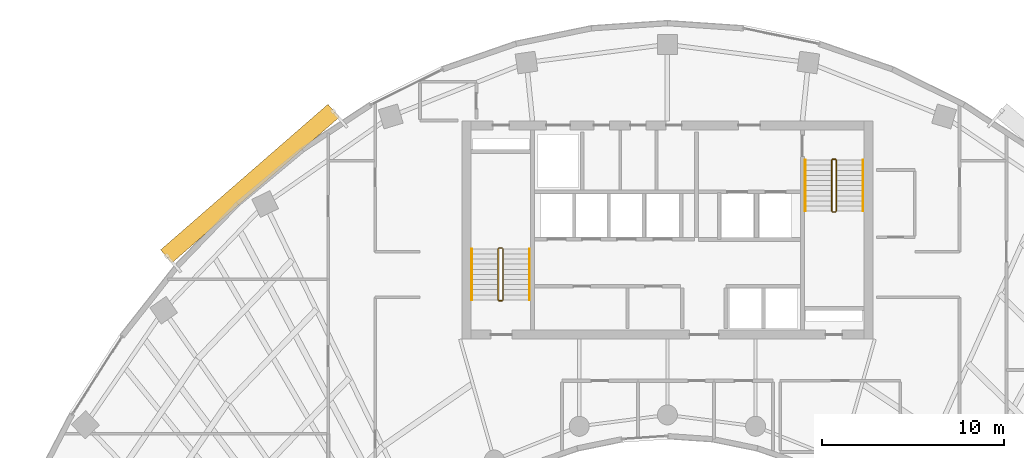
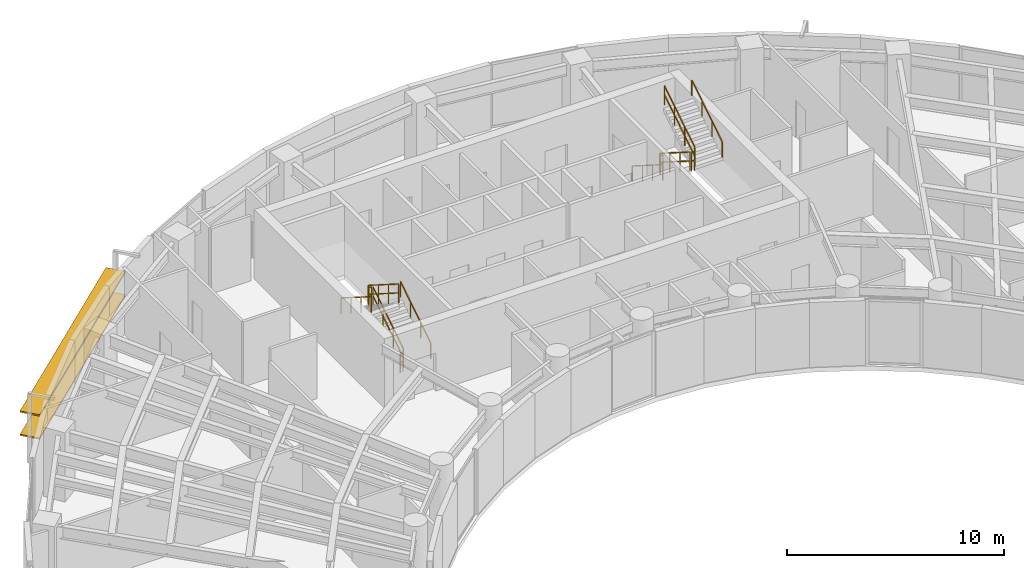
# One storey, part 12 of 13: 12 railings, 2 shading devices.
"""IFC4 building model written with IfcOpenShell, lengths in metres."""

from ifc_helpers import new_model, si_unit, direction, frame, origin, origin_2d, place, context, subcontext, project, spatial, rectangle, extrude, source, transform, mapped, material, material_profile, profile_set, type_object, type_shapes, element, save


model = new_model("IFC4")

# Units and contexts
model_context = context("Model", 3, precision=1e-05, world=origin(), true_north=direction((0.0, 1.0)))
body_context = subcontext(model_context, "Body", "Model", "MODEL_VIEW")
ifc_project = project(units=[si_unit("LENGTHUNIT", "METRE"), si_unit("AREAUNIT", "SQUARE_METRE"), si_unit("VOLUMEUNIT", "CUBIC_METRE"), si_unit("PLANEANGLEUNIT", "RADIAN"), si_unit("MASSUNIT", "GRAM", prefix="KILO")], contexts=[model_context])

# Site, building, storey
site_placement = place(None, origin())
site = spatial("IfcSite", under=ifc_project, at=site_placement, CompositionType="ELEMENT")
building_placement = place(site_placement, origin())
building = spatial("IfcBuilding", under=site, at=building_placement, Name="Breltana Convention Tower", CompositionType="ELEMENT")
storey_placement = place(building_placement, frame((0.0, 0.0, 142.800048828125)))
storey = spatial("IfcBuildingStorey", under=building, at=storey_placement, Name="L34", CompositionType="ELEMENT", Elevation=142.800048828125)

# Railings
ifc_material_1 = material(Name="Steel S275 Painted", Category="steel")
railing_type_1 = type_object("IfcRailingType", Name="RL-STAIR-GUARD-1100", PredefinedType="GUARDRAIL", material=ifc_material_1)
railing_1_placement = place(storey_placement, frame((38.9599609375, 62.360107421875, 0.17724609375)))
element("IfcRailing", 1, at=railing_1_placement, inside=storey, type_object=railing_type_1, Name="L34 ST-1 stair guard 1", PredefinedType="GUARDRAIL", context=body_context, shape_type="SweptSolid", body=[
    extrude(rectangle(XDim=0.048095703125, YDim=0.048095703125, at=origin_2d()), frame((0.0, 0.0, 1.076171875), z_axis=(0.0, 0.844887892834, 0.53494340686), x_axis=(-1.0, 0.0, 0.0)), (0.0, 0.0, 1.0), 3.313720703125),
    extrude(rectangle(XDim=0.048095703125, YDim=0.048095703125, at=origin_2d()), frame((0.0, 0.0, 0.572021484375), z_axis=(0.0, 0.844887892834, 0.53494340686), x_axis=(-1.0, 0.0, 0.0)), (0.0, 0.0, 1.0), 3.313720703125),
    extrude(rectangle(XDim=0.0419921875, YDim=0.0419921875, at=origin_2d()), origin(), (0.0, 0.0, 1.0), 1.052001953125),
    extrude(rectangle(XDim=0.0419921875, YDim=0.0419921875, at=origin_2d()), frame((0.0, 0.933349609375, 0.5908203125)), (0.0, 0.0, 1.0), 1.052001953125),
    extrude(rectangle(XDim=0.0419921875, YDim=0.0419921875, at=origin_2d()), frame((0.0, 1.866455078125, 1.181884765625)), (0.0, 0.0, 1.0), 1.052001953125),
    extrude(rectangle(XDim=0.0419921875, YDim=0.0419921875, at=origin_2d()), frame((0.0, 2.7998046875, 1.772705078125)), (0.0, 0.0, 1.0), 1.052001953125),
])
railing_2_placement = place(storey_placement, frame((38.909912109375, 65.2099609375, 1.949951171875)))
element("IfcRailing", 2, at=railing_2_placement, inside=storey, type_object=railing_type_1, Name="L34 ST-1 stair guard 2", PredefinedType="GUARDRAIL", context=body_context, shape_type="SweptSolid", body=[
    extrude(rectangle(XDim=0.048095703125, YDim=0.048095703125, at=origin_2d()), frame((0.0, 0.0, 1.076171875), z_axis=(-1.0, 0.0, 0.0), x_axis=(0.0, -1.0, 0.0)), (0.0, 0.0, 1.0), 0.14990234375),
    extrude(rectangle(XDim=0.048095703125, YDim=0.048095703125, at=origin_2d()), frame((0.0, 0.0, 0.572021484375), z_axis=(-1.0, 0.0, 0.0), x_axis=(0.0, -1.0, 0.0)), (0.0, 0.0, 1.0), 0.14990234375),
    extrude(rectangle(XDim=0.0419921875, YDim=0.0419921875, at=origin_2d()), origin(), (0.0, 0.0, 1.0), 1.052001953125),
    extrude(rectangle(XDim=0.0419921875, YDim=0.0419921875, at=origin_2d()), frame((-0.14990234375, 0.0, 0.0)), (0.0, 0.0, 1.0), 1.052001953125),
])
railing_3_placement = place(storey_placement, frame((38.7099609375, 65.159912109375, 2.127197265625)))
element("IfcRailing", 3, at=railing_3_placement, inside=storey, type_object=railing_type_1, Name="L34 ST-1 stair guard 3", PredefinedType="GUARDRAIL", context=body_context, shape_type="SweptSolid", body=[
    extrude(rectangle(XDim=0.048095703125, YDim=0.048095703125, at=origin_2d()), frame((0.0, 0.0, 1.076171875), z_axis=(0.0, -0.844887892834, 0.53494340686), x_axis=(1.0, 0.0, 0.0)), (0.0, 0.0, 1.0), 3.313720703125),
    extrude(rectangle(XDim=0.048095703125, YDim=0.048095703125, at=origin_2d()), frame((0.0, 0.0, 0.572021484375), z_axis=(0.0, -0.844887892834, 0.53494340686), x_axis=(1.0, 0.0, 0.0)), (0.0, 0.0, 1.0), 3.313720703125),
    extrude(rectangle(XDim=0.0419921875, YDim=0.0419921875, at=origin_2d()), origin(), (0.0, 0.0, 1.0), 1.052001953125),
    extrude(rectangle(XDim=0.0419921875, YDim=0.0419921875, at=origin_2d()), frame((0.0, -0.933349609375, 0.5908203125)), (0.0, 0.0, 1.0), 1.052001953125),
    extrude(rectangle(XDim=0.0419921875, YDim=0.0419921875, at=origin_2d()), frame((0.0, -1.866455078125, 1.181884765625)), (0.0, 0.0, 1.0), 1.052001953125),
    extrude(rectangle(XDim=0.0419921875, YDim=0.0419921875, at=origin_2d()), frame((0.0, -2.7998046875, 1.772705078125)), (0.0, 0.0, 1.0), 1.052001953125),
])
railing_4_placement = place(storey_placement, frame((38.909912109375, 62.31005859375, 0.0)))
element("IfcRailing", 4, at=railing_4_placement, inside=storey, type_object=railing_type_1, Name="L34 ST-1 stair guard 4", PredefinedType="GUARDRAIL", context=body_context, shape_type="SweptSolid", body=[
    extrude(rectangle(XDim=0.048095703125, YDim=0.048095703125, at=origin_2d()), frame((0.0, 0.0, 1.076171875), z_axis=(-1.0, 0.0, 0.0), x_axis=(0.0, -1.0, 0.0)), (0.0, 0.0, 1.0), 0.14990234375),
    extrude(rectangle(XDim=0.048095703125, YDim=0.048095703125, at=origin_2d()), frame((0.0, 0.0, 0.572021484375), z_axis=(-1.0, 0.0, 0.0), x_axis=(0.0, -1.0, 0.0)), (0.0, 0.0, 1.0), 0.14990234375),
    extrude(rectangle(XDim=0.0419921875, YDim=0.0419921875, at=origin_2d()), origin(), (0.0, 0.0, 1.0), 1.052001953125),
    extrude(rectangle(XDim=0.0419921875, YDim=0.0419921875, at=origin_2d()), frame((-0.14990234375, 0.0, 0.0)), (0.0, 0.0, 1.0), 1.052001953125),
])
railing_5_placement = place(storey_placement, frame((57.0400390625, 70.0400390625, 0.17724609375)))
element("IfcRailing", 5, at=railing_5_placement, inside=storey, type_object=railing_type_1, Name="L34 ST-2 stair guard 1", PredefinedType="GUARDRAIL", context=body_context, shape_type="SweptSolid", body=[
    extrude(rectangle(XDim=0.048095703125, YDim=0.048095703125, at=origin_2d()), frame((0.0, 0.0, 1.076171875), z_axis=(0.0, -0.844908973607, 0.534910110503), x_axis=(1.0, 0.0, 0.0)), (0.0, 0.0, 1.0), 3.31396484375),
    extrude(rectangle(XDim=0.048095703125, YDim=0.048095703125, at=origin_2d()), frame((0.0, 0.0, 0.572021484375), z_axis=(0.0, -0.844908973607, 0.534910110503), x_axis=(1.0, 0.0, 0.0)), (0.0, 0.0, 1.0), 3.31396484375),
    extrude(rectangle(XDim=0.0419921875, YDim=0.0419921875, at=origin_2d()), origin(), (0.0, 0.0, 1.0), 1.052001953125),
    extrude(rectangle(XDim=0.0419921875, YDim=0.0419921875, at=origin_2d()), frame((0.0, -0.933349609375, 0.5908203125)), (0.0, 0.0, 1.0), 1.052001953125),
    extrude(rectangle(XDim=0.0419921875, YDim=0.0419921875, at=origin_2d()), frame((0.0, -1.86669921875, 1.181884765625)), (0.0, 0.0, 1.0), 1.052001953125),
    extrude(rectangle(XDim=0.0419921875, YDim=0.0419921875, at=origin_2d()), frame((0.0, -2.800048828125, 1.772705078125)), (0.0, 0.0, 1.0), 1.052001953125),
])
railing_6_placement = place(storey_placement, frame((57.090087890625, 67.18994140625, 1.949951171875)))
element("IfcRailing", 6, at=railing_6_placement, inside=storey, type_object=railing_type_1, Name="L34 ST-2 stair guard 2", PredefinedType="GUARDRAIL", context=body_context, shape_type="SweptSolid", body=[
    extrude(rectangle(XDim=0.048095703125, YDim=0.048095703125, at=origin_2d()), frame((0.0, 0.0, 1.076171875), z_axis=(1.0, 0.0, 0.0), x_axis=(0.0, 1.0, 0.0)), (0.0, 0.0, 1.0), 0.14990234375),
    extrude(rectangle(XDim=0.048095703125, YDim=0.048095703125, at=origin_2d()), frame((0.0, 0.0, 0.572021484375), z_axis=(1.0, 0.0, 0.0), x_axis=(0.0, 1.0, 0.0)), (0.0, 0.0, 1.0), 0.14990234375),
    extrude(rectangle(XDim=0.0419921875, YDim=0.0419921875, at=origin_2d()), origin(), (0.0, 0.0, 1.0), 1.052001953125),
    extrude(rectangle(XDim=0.0419921875, YDim=0.0419921875, at=origin_2d()), frame((0.14990234375, 0.0, 0.0)), (0.0, 0.0, 1.0), 1.052001953125),
])
railing_7_placement = place(storey_placement, frame((57.2900390625, 67.239990234375, 2.127197265625)))
element("IfcRailing", 7, at=railing_7_placement, inside=storey, type_object=railing_type_1, Name="L34 ST-2 stair guard 3", PredefinedType="GUARDRAIL", context=body_context, shape_type="SweptSolid", body=[
    extrude(rectangle(XDim=0.048095703125, YDim=0.048095703125, at=origin_2d()), frame((0.0, 0.0, 1.076171875), z_axis=(0.0, 0.844908973607, 0.534910110503), x_axis=(-1.0, 0.0, 0.0)), (0.0, 0.0, 1.0), 3.31396484375),
    extrude(rectangle(XDim=0.048095703125, YDim=0.048095703125, at=origin_2d()), frame((0.0, 0.0, 0.572021484375), z_axis=(0.0, 0.844908973607, 0.534910110503), x_axis=(-1.0, 0.0, 0.0)), (0.0, 0.0, 1.0), 3.31396484375),
    extrude(rectangle(XDim=0.0419921875, YDim=0.0419921875, at=origin_2d()), origin(), (0.0, 0.0, 1.0), 1.052001953125),
    extrude(rectangle(XDim=0.0419921875, YDim=0.0419921875, at=origin_2d()), frame((0.0, 0.933349609375, 0.5908203125)), (0.0, 0.0, 1.0), 1.052001953125),
    extrude(rectangle(XDim=0.0419921875, YDim=0.0419921875, at=origin_2d()), frame((0.0, 1.86669921875, 1.181884765625)), (0.0, 0.0, 1.0), 1.052001953125),
    extrude(rectangle(XDim=0.0419921875, YDim=0.0419921875, at=origin_2d()), frame((0.0, 2.800048828125, 1.772705078125)), (0.0, 0.0, 1.0), 1.052001953125),
])
railing_8_placement = place(storey_placement, frame((57.090087890625, 70.090087890625, 0.0)))
element("IfcRailing", 8, at=railing_8_placement, inside=storey, type_object=railing_type_1, Name="L34 ST-2 stair guard 4", PredefinedType="GUARDRAIL", context=body_context, shape_type="SweptSolid", body=[
    extrude(rectangle(XDim=0.048095703125, YDim=0.048095703125, at=origin_2d()), frame((0.0, 0.0, 1.076171875), z_axis=(1.0, 0.0, 0.0), x_axis=(0.0, 1.0, 0.0)), (0.0, 0.0, 1.0), 0.14990234375),
    extrude(rectangle(XDim=0.048095703125, YDim=0.048095703125, at=origin_2d()), frame((0.0, 0.0, 0.572021484375), z_axis=(1.0, 0.0, 0.0), x_axis=(0.0, 1.0, 0.0)), (0.0, 0.0, 1.0), 0.14990234375),
    extrude(rectangle(XDim=0.0419921875, YDim=0.0419921875, at=origin_2d()), origin(), (0.0, 0.0, 1.0), 1.052001953125),
    extrude(rectangle(XDim=0.0419921875, YDim=0.0419921875, at=origin_2d()), frame((0.14990234375, 0.0, 0.0)), (0.0, 0.0, 1.0), 1.052001953125),
])
ifc_material_2 = material(Name="Stainless Steel 316L", Category="steel")
railing_type_2 = type_object("IfcRailingType", Name="RL-STAIR-HANDRAIL-900", PredefinedType="HANDRAIL", material=ifc_material_2)
railing_9_placement = place(storey_placement, frame((40.419921875, 62.360107421875, 0.17724609375)))
element("IfcRailing", 9, at=railing_9_placement, inside=storey, type_object=railing_type_2, Name="L34 ST-1 stair handrail 1", PredefinedType="HANDRAIL", context=body_context, shape_type="SweptSolid", body=[
    extrude(rectangle(XDim=0.048095703125, YDim=0.048095703125, at=origin_2d()), frame((0.0, 0.0, 0.8759765625), z_axis=(0.0, 0.844887892834, 0.53494340686), x_axis=(-1.0, 0.0, 0.0)), (0.0, 0.0, 1.0), 3.313720703125),
    extrude(rectangle(XDim=0.0419921875, YDim=0.0419921875, at=origin_2d()), origin(), (0.0, 0.0, 1.0), 0.851806640625),
    extrude(rectangle(XDim=0.0419921875, YDim=0.0419921875, at=origin_2d()), frame((0.0, 0.933349609375, 0.5908203125)), (0.0, 0.0, 1.0), 0.851806640625),
    extrude(rectangle(XDim=0.0419921875, YDim=0.0419921875, at=origin_2d()), frame((0.0, 1.866455078125, 1.181884765625)), (0.0, 0.0, 1.0), 0.851806640625),
    extrude(rectangle(XDim=0.0419921875, YDim=0.0419921875, at=origin_2d()), frame((0.0, 2.7998046875, 1.772705078125)), (0.0, 0.0, 1.0), 0.851806640625),
])
railing_10_placement = place(storey_placement, frame((37.25, 65.159912109375, 2.127197265625)))
element("IfcRailing", 10, at=railing_10_placement, inside=storey, type_object=railing_type_2, Name="L34 ST-1 stair handrail 2", PredefinedType="HANDRAIL", context=body_context, shape_type="SweptSolid", body=[
    extrude(rectangle(XDim=0.048095703125, YDim=0.048095703125, at=origin_2d()), frame((0.0, 0.0, 0.8759765625), z_axis=(0.0, -0.844887892834, 0.53494340686), x_axis=(1.0, 0.0, 0.0)), (0.0, 0.0, 1.0), 3.313720703125),
    extrude(rectangle(XDim=0.0419921875, YDim=0.0419921875, at=origin_2d()), origin(), (0.0, 0.0, 1.0), 0.851806640625),
    extrude(rectangle(XDim=0.0419921875, YDim=0.0419921875, at=origin_2d()), frame((0.0, -0.933349609375, 0.5908203125)), (0.0, 0.0, 1.0), 0.851806640625),
    extrude(rectangle(XDim=0.0419921875, YDim=0.0419921875, at=origin_2d()), frame((0.0, -1.866455078125, 1.181884765625)), (0.0, 0.0, 1.0), 0.851806640625),
    extrude(rectangle(XDim=0.0419921875, YDim=0.0419921875, at=origin_2d()), frame((0.0, -2.7998046875, 1.772705078125)), (0.0, 0.0, 1.0), 0.851806640625),
])
railing_11_placement = place(storey_placement, frame((55.580078125, 70.0400390625, 0.17724609375)))
element("IfcRailing", 11, at=railing_11_placement, inside=storey, type_object=railing_type_2, Name="L34 ST-2 stair handrail 1", PredefinedType="HANDRAIL", context=body_context, shape_type="SweptSolid", body=[
    extrude(rectangle(XDim=0.048095703125, YDim=0.048095703125, at=origin_2d()), frame((0.0, 0.0, 0.8759765625), z_axis=(0.0, -0.844908973607, 0.534910110503), x_axis=(1.0, 0.0, 0.0)), (0.0, 0.0, 1.0), 3.31396484375),
    extrude(rectangle(XDim=0.0419921875, YDim=0.0419921875, at=origin_2d()), origin(), (0.0, 0.0, 1.0), 0.851806640625),
    extrude(rectangle(XDim=0.0419921875, YDim=0.0419921875, at=origin_2d()), frame((0.0, -0.933349609375, 0.5908203125)), (0.0, 0.0, 1.0), 0.851806640625),
    extrude(rectangle(XDim=0.0419921875, YDim=0.0419921875, at=origin_2d()), frame((0.0, -1.86669921875, 1.181884765625)), (0.0, 0.0, 1.0), 0.851806640625),
    extrude(rectangle(XDim=0.0419921875, YDim=0.0419921875, at=origin_2d()), frame((0.0, -2.800048828125, 1.772705078125)), (0.0, 0.0, 1.0), 0.851806640625),
])
railing_12_placement = place(storey_placement, frame((58.75, 67.239990234375, 2.127197265625)))
element("IfcRailing", 12, at=railing_12_placement, inside=storey, type_object=railing_type_2, Name="L34 ST-2 stair handrail 2", PredefinedType="HANDRAIL", context=body_context, shape_type="SweptSolid", body=[
    extrude(rectangle(XDim=0.048095703125, YDim=0.048095703125, at=origin_2d()), frame((0.0, 0.0, 0.8759765625), z_axis=(0.0, 0.844908973607, 0.534910110503), x_axis=(-1.0, 0.0, 0.0)), (0.0, 0.0, 1.0), 3.31396484375),
    extrude(rectangle(XDim=0.0419921875, YDim=0.0419921875, at=origin_2d()), origin(), (0.0, 0.0, 1.0), 0.851806640625),
    extrude(rectangle(XDim=0.0419921875, YDim=0.0419921875, at=origin_2d()), frame((0.0, 0.933349609375, 0.5908203125)), (0.0, 0.0, 1.0), 0.851806640625),
    extrude(rectangle(XDim=0.0419921875, YDim=0.0419921875, at=origin_2d()), frame((0.0, 1.86669921875, 1.181884765625)), (0.0, 0.0, 1.0), 0.851806640625),
    extrude(rectangle(XDim=0.0419921875, YDim=0.0419921875, at=origin_2d()), frame((0.0, 2.800048828125, 1.772705078125)), (0.0, 0.0, 1.0), 0.851806640625),
])

# Shading devices
ifc_material_3 = material(Name="Limestone Warm Buff Honed", Category="masonry")
ifc_material_profile = material_profile(ifc_material_3, rectangle(XDim=0.949951171875, YDim=0.080078125, at=origin_2d()), Name="STN-LVR-950X80")
ifc_profile_set = profile_set([ifc_material_profile], Name="Limestone Warm Buff Honed")
shading_device_type = type_object("IfcShadingDeviceType", Name="SHD-OUTER-SKIN-LIMESTONE-950", PredefinedType="JALOUSIE", material=ifc_profile_set)
shared_shape = source(origin(), body_context, "Body", "SweptSolid", [
    extrude(rectangle(XDim=0.949951171875, YDim=0.080078125, at=origin_2d()), origin(), (0.0, 0.0, 1.0), 12.1943359375),
])
type_shapes(shading_device_type, [shared_shape])
for number, where, z_axis, x_axis, name in (
    (13, (20.451904296875, 64.74951171875, 1.31396484375), (0.754361083307, 0.656459713914, 0.0), (-0.656459713914, 0.754361083307, 0.0), "L34 outer skin warm limestone louvre 1.1"),
    (14, (20.451904296875, 64.74951171875, 2.6279296875), (0.754361083307, 0.656459713914, 0.0), (-0.656459713914, 0.754361083307, 0.0), "L34 outer skin warm limestone louvre 1.2"),
):
    element("IfcShadingDevice", number, at=place(storey_placement, frame(where, z_axis=z_axis, x_axis=x_axis)), inside=storey, type_object=shading_device_type, Name=name, PredefinedType="JALOUSIE", context=body_context, shape_type="MappedRepresentation", body=[
        mapped(shared_shape, transform((0.0, 0.0, 0.0), scale=1.0)),
    ])

save(model, "model.ifc")
